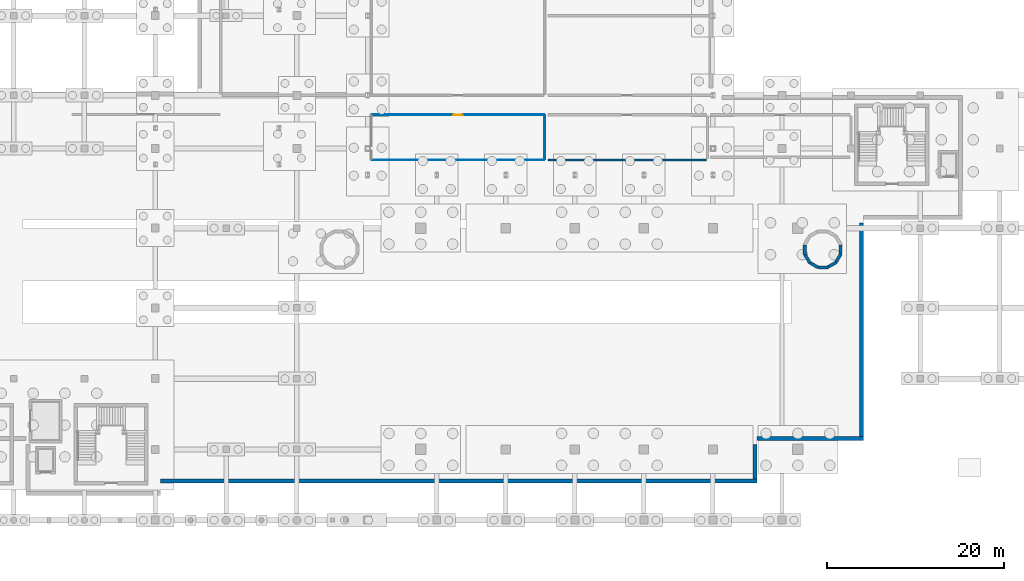
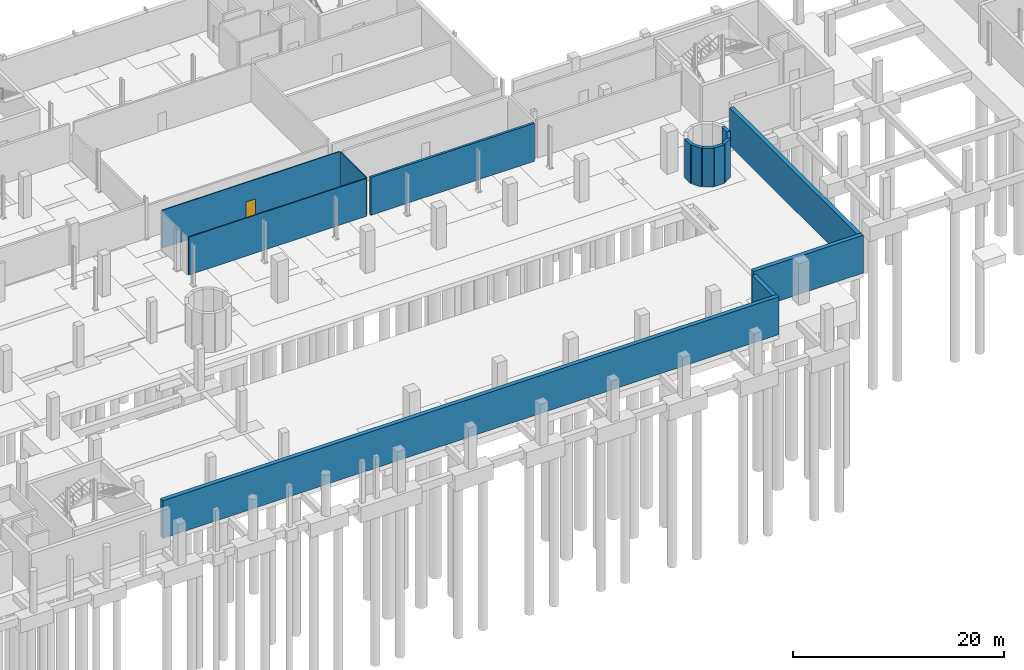
# One storey, part 27 of 32: 15 walls, 1 door, 1 opening.
"""IFC4 building model written with IfcOpenShell, lengths in metres."""

from ifc_helpers import new_model, si_unit, derived_unit, direction, frame, frame_2d, origin, place, context, subcontext, project, spatial, rectangle, extrude, material, layer, layer_set, type_object, element, fill, save


model = new_model("IFC4")

# Units and contexts
model_context = context("Model", 3, precision=1e-05, world=origin(), true_north=direction((0.0, 1.0)))
body_context = subcontext(model_context, "Body", "Model", "MODEL_VIEW")
ifc_project = project(units=[si_unit("LENGTHUNIT", "METRE"), si_unit("AREAUNIT", "SQUARE_METRE"), si_unit("VOLUMEUNIT", "CUBIC_METRE"), si_unit("PLANEANGLEUNIT", "RADIAN"), si_unit("MASSUNIT", "GRAM", prefix="KILO"), derived_unit("THERMALTRANSMITTANCEUNIT", [(si_unit("POWERUNIT", "WATT"), 1), (si_unit("LENGTHUNIT", "METRE"), -2), (si_unit("THERMODYNAMICTEMPERATUREUNIT", "KELVIN"), -1)])], contexts=[model_context])

# Site, building, storey
site_placement = place(None, origin())
site = spatial("IfcSite", under=ifc_project, at=site_placement, CompositionType="ELEMENT")
building_placement = place(site_placement, origin())
building = spatial("IfcBuilding", under=site, at=building_placement, Name="Nallur Shell Playhouse", CompositionType="ELEMENT")
storey_placement = place(building_placement, frame((0.0, 0.0, -4.800048828125)))
storey = spatial("IfcBuildingStorey", under=building, at=storey_placement, Name="B1", CompositionType="ELEMENT", Elevation=-4.800048828125)

# Walls
ifc_material_1 = material(Name="Concrete M45", Category="concrete")
ifc_layer_1 = layer(ifc_material_1, 0.39990234375)
ifc_layer_set_1 = layer_set([ifc_layer_1], Name="Concrete M45")
wall_type_1 = type_object("IfcWallType", Name="WL-CORE-400", PredefinedType="SHEAR", material=ifc_layer_set_1)
for number, where, z_axis, x_axis, name in (
    (1, (113.37158203125, 39.08349609375, 0.0), (0.0, 0.0, 1.0), (0.0, -1.0, 0.0), "Metabolist service drum DR-2 facet 6 (B1)"),
    (2, (113.401611328125, 38.00439453125, 0.0), (0.0, 0.0, 1.0), (0.499935162227, -0.866062834654, 0.0), "Metabolist service drum DR-2 facet 7 (B1)"),
    (3, (113.967041015625, 37.085205078125, 0.0), (0.0, 0.0, 1.0), (0.865966109163, -0.500102687236, 0.0), "Metabolist service drum DR-2 facet 8 (B1)"),
    (4, (114.91650390625, 36.571533203125, 0.0), (0.0, 0.0, 1.0), (1.0, 0.0, 0.0), "Metabolist service drum DR-2 facet 9 (B1)"),
    (5, (115.99560546875, 36.6015625, 0.0), (0.0, 0.0, 1.0), (0.865966109163, 0.500102687236, 0.0), "Metabolist service drum DR-2 facet 10 (B1)"),
    (6, (116.914794921875, 37.1669921875, 0.0), (0.0, 0.0, 1.0), (0.500102687236, 0.865966109163, 0.0), "Metabolist service drum DR-2 facet 11 (B1)"),
):
    element("IfcWall", number, at=place(storey_placement, frame(where, z_axis=z_axis, x_axis=x_axis)), inside=storey, type_object=wall_type_1, Name=name, PredefinedType="SHEAR", context=body_context, shape_type="SweptSolid", body=[
        extrude(rectangle(XDim=1.093017578125, YDim=0.35009765625, at=frame_2d((0.54638671875, 0.0))), origin(), (0.0, 0.0, 1.0), 4.47998046875),
    ])
wall_1_placement = place(storey_placement, frame((117.428466796875, 38.116455078125, 0.0), z_axis=(0.0, 0.0, 1.0), x_axis=(0.0, 1.0, 0.0)))
element("IfcWall", 7, at=wall_1_placement, inside=storey, type_object=wall_type_1, Name="Metabolist service drum DR-2 facet 12 (B1)", PredefinedType="SHEAR", context=body_context, shape_type="SweptSolid", body=[
    extrude(rectangle(XDim=0.967041015625, YDim=0.35009765625, at=frame_2d((0.4833984375, 0.0))), origin(), (0.0, 0.0, 1.0), 4.47998046875),
])
ifc_material_2 = material(Name="Concrete M30", Category="concrete")
ifc_layer_2 = layer(ifc_material_2, 0.25)
ifc_layer_set_2 = layer_set([ifc_layer_2], Name="Concrete M30")
wall_type_2 = type_object("IfcWallType", Name="WL-PART-AC250", PredefinedType="PARTITIONING", material=ifc_layer_set_2)
wall_2_placement = place(storey_placement, frame((102.2548828125, 48.699951171875, 0.0), z_axis=(0.0, 0.0, 1.0), x_axis=(-1.0, 0.0, 0.0)))
element("IfcWall", 8, at=wall_2_placement, inside=storey, type_object=wall_type_2, Name="UPS Battery & Emergency Switchboard Room partition IW-B1-0027", PredefinedType="PARTITIONING", context=body_context, shape_type="SweptSolid", body=[
    extrude(rectangle(XDim=17.909912109375, YDim=0.25, at=frame_2d((8.955078125, 0.0))), origin(), (0.0, 0.0, 1.0), 4.39013671875),
])

# Wall, opening, door
ifc_material_3 = material(Name="Double-Layer Fire-Rated Gypsum Stud Partition")
ifc_layer_3 = layer(ifc_material_3, 0.10009765625)
ifc_layer_set_3 = layer_set([ifc_layer_3], Name="Double-Layer Fire-Rated Gypsum Stud Partition")
wall_type_3 = type_object("IfcWallType", Name="WL-PART-DRY100", PredefinedType="PARTITIONING", material=ifc_layer_set_3)
wall_3_placement = place(storey_placement, frame((64.469970703125, 53.800048828125, 0.0), z_axis=(0.0, 0.0, 1.0), x_axis=(1.0, 0.0, 0.0)))
wall_3 = element("IfcWall", 9, at=wall_3_placement, inside=storey, type_object=wall_type_3, Name="Orchestra Pit Lift & Instrument Vault partition IW-B1-0009", PredefinedType="PARTITIONING", context=body_context, shape_type="SweptSolid", body=[
    extrude(rectangle(XDim=19.4599609375, YDim=0.10009765625, at=frame_2d((9.72998046875, 0.0))), origin(), (0.0, 0.0, 1.0), 4.39013671875),
])
opening_placement = place(wall_3_placement, frame((9.205078125, 0.0, 0.0)))
opening = element("IfcOpeningElement", 10, at=opening_placement, cuts=wall_3, Name="Opening ID-02", PredefinedType="OPENING", context=body_context, shape_type="SweptSolid", body=[
    extrude(rectangle(XDim=1.050048828125, YDim=2.14990234375, at=frame_2d((0.52490234375, 1.074951171875))), frame((0.0, 0.06005859375, 0.0), z_axis=(0.0, -1.0, 0.0), x_axis=(1.0, 0.0, 0.0)), (0.0, 0.0, 1.0), 0.1201171875),
])
ifc_material_4 = material(Name="Solid-Core Engineered Timber Fire Door", Category="wood")
door_type = type_object("IfcDoorType", Name="DR-INT-SGL1050R", OperationType="SINGLE_SWING_RIGHT", PredefinedType="DOOR", material=ifc_material_4)
door_placement = place(opening_placement, origin())
door = element("IfcDoor", 11, at=door_placement, inside=storey, type_object=door_type, Name="Orchestra Pit Lift & Instrument Vault door 1", OperationType="SINGLE_SWING_RIGHT", OverallHeight=2.14990234375, OverallWidth=1.050048828125, PredefinedType="DOOR", context=body_context, shape_type="SweptSolid", body=[
    extrude(rectangle(XDim=1.050048828125, YDim=2.14990234375, at=frame_2d((0.52490234375, 1.074951171875))), frame((0.0, 0.02490234375, 0.0), z_axis=(0.0, -1.0, 0.0), x_axis=(1.0, 0.0, 0.0)), (0.0, 0.0, 1.0), 0.050048828125),
])
fill(opening, door)

# Walls
wall_4_placement = place(storey_placement, frame((84.0, 53.72998046875, 0.0), z_axis=(0.0, 0.0, 1.0), x_axis=(0.0, -1.0, 0.0)))
element("IfcWall", 12, at=wall_4_placement, inside=storey, type_object=wall_type_3, Name="Orchestra Pit Lift & Instrument Vault partition IW-B1-0010", PredefinedType="PARTITIONING", context=body_context, shape_type="SweptSolid", body=[
    extrude(rectangle(XDim=4.9599609375, YDim=0.10009765625, at=frame_2d((2.47998046875, 0.0))), origin(), (0.0, 0.0, 1.0), 4.39013671875),
])
wall_5_placement = place(storey_placement, frame((83.929931640625, 48.699951171875, 0.0), z_axis=(0.0, 0.0, 1.0), x_axis=(-1.0, 0.0, 0.0)))
element("IfcWall", 13, at=wall_5_placement, inside=storey, type_object=wall_type_3, Name="Orchestra Pit Lift & Instrument Vault partition IW-B1-0011", PredefinedType="PARTITIONING", context=body_context, shape_type="SweptSolid", body=[
    extrude(rectangle(XDim=19.4599609375, YDim=0.10009765625, at=frame_2d((9.72998046875, 0.0))), origin(), (0.0, 0.0, 1.0), 4.39013671875),
])
ifc_material_5 = material(Name="Concrete M40", Category="concrete")
ifc_layer_4 = layer(ifc_material_5, 0.449951171875)
ifc_layer_set_4 = layer_set([ifc_layer_4], Name="Concrete M40")
wall_type_4 = type_object("IfcWallType", Name="WL-RET-450", PredefinedType="USERDEFINED", material=ifc_layer_set_4)
wall_6_placement = place(storey_placement, frame((119.77490234375, 41.554931640625, 0.0), z_axis=(0.0, 0.0, 1.0), x_axis=(0.0, -1.0, 0.0)))
element("IfcWall", 14, at=wall_6_placement, inside=storey, type_object=wall_type_4, Name="Basement perimeter retaining wall RW-B1-1.15", ObjectType="RETAININGWALL", PredefinedType="USERDEFINED", context=body_context, shape_type="SweptSolid", body=[
    extrude(rectangle(XDim=24.10986328125, YDim=0.449951171875, at=frame_2d((12.054931640625, 0.0))), origin(), (0.0, 0.0, 1.0), 4.380126953125),
])
wall_7_placement = place(storey_placement, frame((120.0, 17.22509765625, 0.0), z_axis=(0.0, 0.0, 1.0), x_axis=(-1.0, 0.0, 0.0)))
element("IfcWall", 15, at=wall_7_placement, inside=storey, type_object=wall_type_4, Name="Basement perimeter retaining wall RW-B1-1.16", ObjectType="RETAININGWALL", PredefinedType="USERDEFINED", context=body_context, shape_type="SweptSolid", body=[
    extrude(rectangle(XDim=12.0, YDim=0.449951171875, at=frame_2d((6.0, 0.0))), origin(), (0.0, 0.0, 1.0), 4.380126953125),
])
wall_8_placement = place(storey_placement, frame((107.77490234375, 16.554931640625, 0.0), z_axis=(0.0, 0.0, 1.0), x_axis=(0.0, -1.0, 0.0)))
element("IfcWall", 16, at=wall_8_placement, inside=storey, type_object=wall_type_4, Name="Basement perimeter retaining wall RW-B1-1.17", ObjectType="RETAININGWALL", PredefinedType="USERDEFINED", context=body_context, shape_type="SweptSolid", body=[
    extrude(rectangle(XDim=3.909912109375, YDim=0.449951171875, at=frame_2d((1.955078125, 0.0))), origin(), (0.0, 0.0, 1.0), 4.380126953125),
])
wall_9_placement = place(storey_placement, frame((108.0, 12.425048828125, 0.0), z_axis=(0.0, 0.0, 1.0), x_axis=(-1.0, 0.0, 0.0)))
element("IfcWall", 17, at=wall_9_placement, inside=storey, type_object=wall_type_4, Name="Basement perimeter retaining wall RW-B1-1.18", ObjectType="RETAININGWALL", PredefinedType="USERDEFINED", context=body_context, shape_type="SweptSolid", body=[
    extrude(rectangle(XDim=67.39990234375, YDim=0.449951171875, at=frame_2d((33.699951171875, 0.0))), origin(), (0.0, 0.0, 1.0), 4.380126953125),
])

save(model, "model.ifc")
